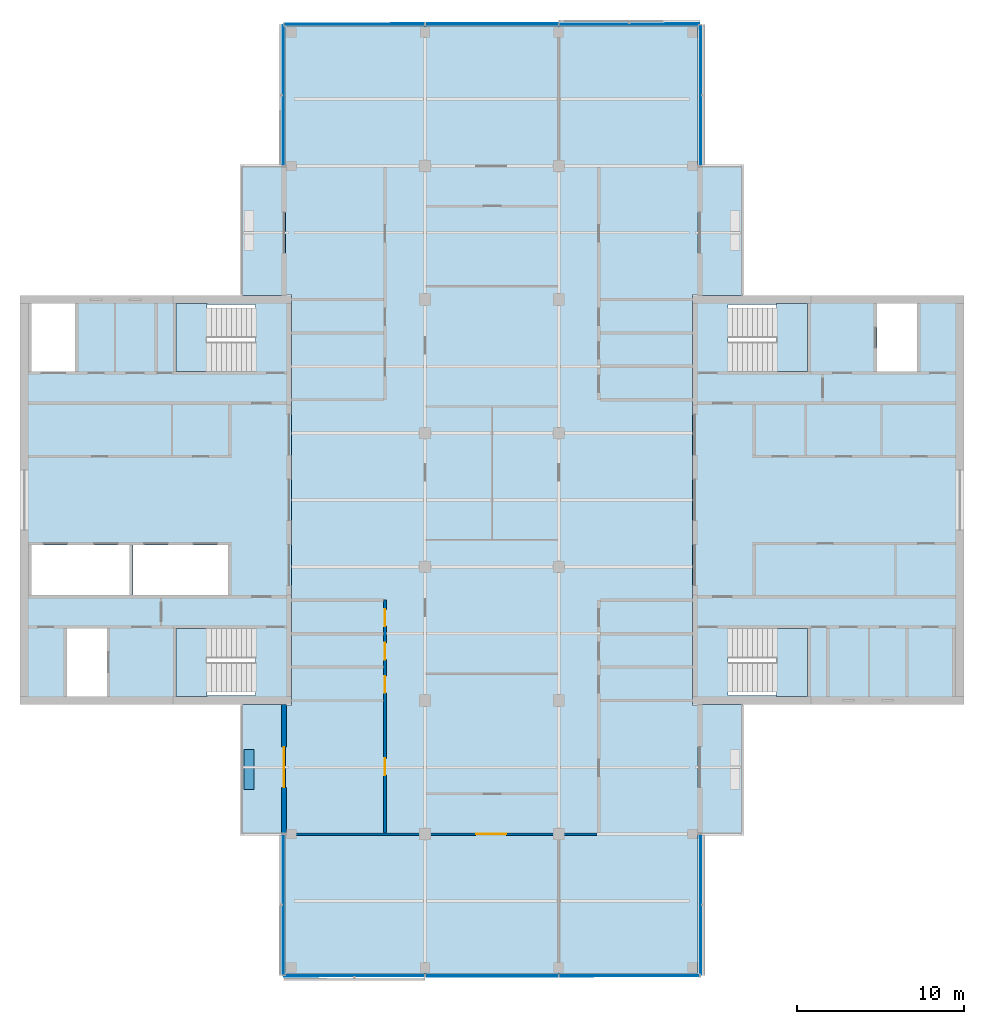
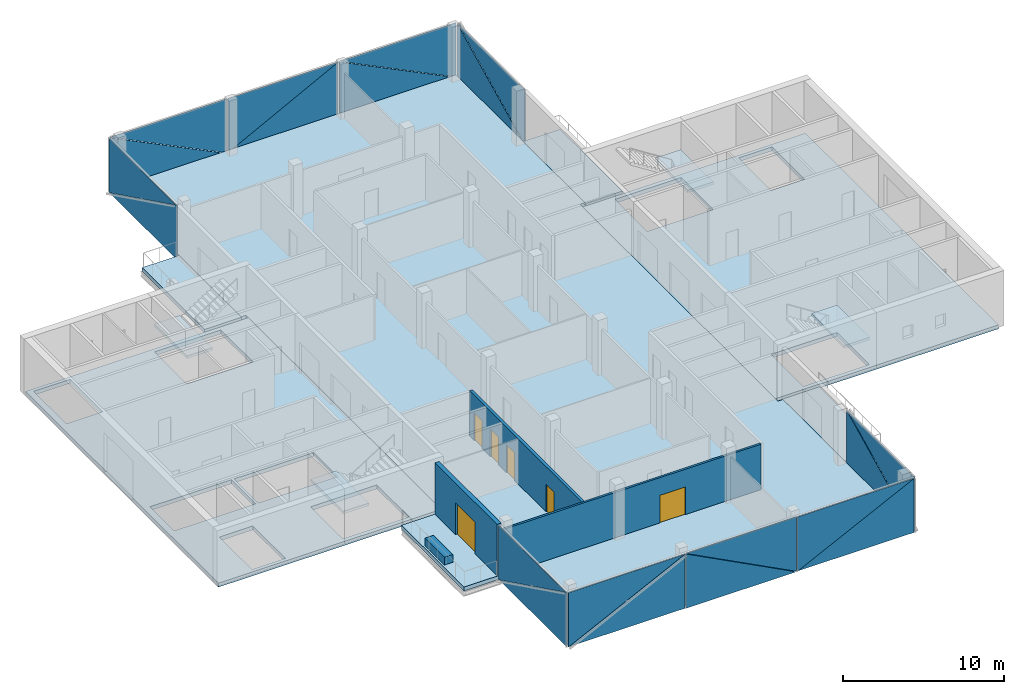
# One storey, part 4 of 12: 20 plates, 11 slabs, 6 doors, 4 walls, 6 openings, 10 elements without a shape of their own.
"""IFC4 building model written with IfcOpenShell, lengths in metres."""

from ifc_helpers import new_model, si_unit, direction, frame, frame_2d, origin, place, context, subcontext, project, spatial, polyline, rectangle, outline, extrude, material, layer, layer_set, type_object, element, fill, aggregate, save


model = new_model("IFC4")

# Units and contexts
model_context = context("Model", 3, precision=1e-05, world=origin(), true_north=direction((0.0, 1.0)))
body_context = subcontext(model_context, "Body", "Model", "MODEL_VIEW")
ifc_project = project(units=[si_unit("LENGTHUNIT", "METRE"), si_unit("AREAUNIT", "SQUARE_METRE"), si_unit("VOLUMEUNIT", "CUBIC_METRE"), si_unit("PLANEANGLEUNIT", "RADIAN"), si_unit("MASSUNIT", "GRAM", prefix="KILO")], contexts=[model_context])

# Site, building, storey
site_placement = place(None, origin())
site = spatial("IfcSite", under=ifc_project, at=site_placement, CompositionType="ELEMENT")
building_placement = place(site_placement, origin())
building = spatial("IfcBuilding", under=site, at=building_placement, Name="Crosswind Convention Tower", CompositionType="ELEMENT")
storey_placement = place(building_placement, frame((0.0, 0.0, 245.10009765625)))
storey = spatial("IfcBuildingStorey", under=building, at=storey_placement, Name="L52", CompositionType="ELEMENT", Elevation=245.10009765625)

# Slabs
ifc_material_1 = material(Name="Concrete C40/50", Category="concrete")
ifc_layer_1 = layer(ifc_material_1, 0.300048828125)
ifc_layer_set_1 = layer_set([ifc_layer_1], Name="Concrete C40/50")
slab_type_1 = type_object("IfcSlabType", Name="Composite floor slab 300", PredefinedType="FLOOR", material=ifc_layer_set_1)
slab_1_placement = place(storey_placement, frame((0.0, 0.0, -0.300048828125)))
element("IfcSlab", 1, at=slab_1_placement, inside=storey, type_object=slab_type_1, Name="Floor slab L52", PredefinedType="FLOOR", context=body_context, shape_type="SweptSolid", body=[
    extrude(outline(polyline([(137.35009765625, 71.64990234375), (137.0, 71.64990234375), (113.0, 71.64990234375), (112.64990234375, 71.64990234375), (112.64990234375, 72.0), (112.64990234375, 87.699951171875), (113.0, 87.699951171875), (113.0, 112.300048828125), (112.64990234375, 112.300048828125), (112.64990234375, 128.0), (112.64990234375, 128.35009765625), (113.0, 128.35009765625), (137.0, 128.35009765625), (137.35009765625, 128.35009765625), (137.35009765625, 128.0), (137.35009765625, 112.300048828125), (137.0, 112.300048828125), (137.0, 87.699951171875), (137.35009765625, 87.699951171875), (137.35009765625, 72.0), (137.35009765625, 71.64990234375)])), origin(), (0.0, 0.0, 1.0), 0.300048828125),
])
ifc_layer_2 = layer(ifc_material_1, 0.300048828125)
ifc_layer_set_2 = layer_set([ifc_layer_2], Name="Concrete C40/50")
slab_type_2 = type_object("IfcSlabType", Name="Concrete core floor slab 300", PredefinedType="FLOOR", material=ifc_layer_set_2)
slab_2_placement = place(storey_placement, frame((0.0, 0.0, -0.300048828125)))
element("IfcSlab", 2, at=slab_2_placement, inside=storey, type_object=slab_type_2, Name="Core floor slab E L52", PredefinedType="FLOOR", context=body_context, shape_type="SweptSolid", body=[
    extrude(outline(polyline([(137.0, 88.0), (153.0, 88.0), (153.0, 112.0), (137.0, 112.0), (137.0, 88.0)]), holes=[polyline([(150.449951171875, 107.699951171875), (150.449951171875, 111.75), (148.050048828125, 111.75), (148.050048828125, 107.699951171875), (150.449951171875, 107.699951171875)]), polyline([(143.89990234375, 107.699951171875), (143.89990234375, 111.699951171875), (139.14990234375, 111.699951171875), (139.14990234375, 107.699951171875), (143.89990234375, 107.699951171875)]), polyline([(143.89990234375, 88.300048828125), (143.89990234375, 92.300048828125), (139.14990234375, 92.300048828125), (139.14990234375, 88.300048828125), (143.89990234375, 88.300048828125)])]), origin(), (0.0, 0.0, 1.0), 0.300048828125),
])
slab_3_placement = place(storey_placement, frame((0.0, 0.0, -0.300048828125)))
element("IfcSlab", 3, at=slab_3_placement, inside=storey, type_object=slab_type_2, Name="Core floor slab W L52", PredefinedType="FLOOR", context=body_context, shape_type="SweptSolid", body=[
    extrude(outline(polyline([(97.0, 88.0), (113.0, 88.0), (113.0, 112.0), (97.0, 112.0), (97.0, 88.0)]), holes=[polyline([(109.199951171875, 94.300048828125), (109.199951171875, 97.300048828125), (103.5, 97.300048828125), (103.5, 94.300048828125), (109.199951171875, 94.300048828125)]), polyline([(103.300048828125, 94.300048828125), (103.300048828125, 97.300048828125), (97.449951171875, 97.300048828125), (97.449951171875, 94.300048828125), (103.300048828125, 94.300048828125)]), polyline([(101.949951171875, 88.25), (101.949951171875, 92.300048828125), (99.550048828125, 92.300048828125), (99.550048828125, 88.25), (101.949951171875, 88.25)]), polyline([(100.050048828125, 107.699951171875), (100.050048828125, 111.75), (97.449951171875, 111.75), (97.449951171875, 107.699951171875), (100.050048828125, 107.699951171875)]), polyline([(110.85009765625, 88.300048828125), (110.85009765625, 92.300048828125), (106.10009765625, 92.300048828125), (106.10009765625, 88.300048828125), (110.85009765625, 88.300048828125)]), polyline([(110.85009765625, 107.699951171875), (110.85009765625, 111.699951171875), (106.10009765625, 111.699951171875), (106.10009765625, 107.699951171875), (110.85009765625, 107.699951171875)])]), origin(), (0.0, 0.0, 1.0), 0.300048828125),
])

# Stair, slab
stair_type = type_object("IfcStairType", Name="Exit stair 1800 wide, 2 flights of 11 risers", PredefinedType="HALF_TURN_STAIR", material=ifc_material_1)
stair_1_placement = place(storey_placement, origin())
stair_1 = element("IfcStair", 4, at=stair_1_placement, inside=storey, type_object=stair_type, Name="Exit stair ST1 L52", ObjectType="ST5", PredefinedType="HALF_TURN_STAIR")
ifc_layer_3 = layer(ifc_material_1, 0.199951171875)
ifc_layer_set_3 = layer_set([ifc_layer_3], Name="Concrete C40/50")
slab_type_3 = type_object("IfcSlabType", Name="Stair landing 200", PredefinedType="LANDING", material=ifc_layer_set_3)
slab_4_placement = place(storey_placement, frame((0.0, 0.0, 1.89990234375)))
slab_4 = element("IfcSlab", 5, at=slab_4_placement, type_object=slab_type_3, Name="ST1 landing 1", PredefinedType="LANDING", context=body_context, shape_type="SweptSolid", body=[
    extrude(outline(polyline([(143.89990234375, 107.699951171875), (143.89990234375, 111.75), (142.050048828125, 111.75), (142.050048828125, 107.699951171875), (143.89990234375, 107.699951171875)])), origin(), (0.0, 0.0, 1.0), 0.199951171875),
])
aggregate(stair_1, [slab_4])

stair_2_placement = place(storey_placement, origin())
stair_2 = element("IfcStair", 6, at=stair_2_placement, inside=storey, type_object=stair_type, Name="Exit stair ST2 L52", ObjectType="ST5", PredefinedType="HALF_TURN_STAIR")
slab_5_placement = place(storey_placement, frame((0.0, 0.0, 1.89990234375)))
slab_5 = element("IfcSlab", 7, at=slab_5_placement, type_object=slab_type_3, Name="ST2 landing 1", PredefinedType="LANDING", context=body_context, shape_type="SweptSolid", body=[
    extrude(outline(polyline([(143.89990234375, 88.25), (143.89990234375, 92.300048828125), (142.050048828125, 92.300048828125), (142.050048828125, 88.25), (143.89990234375, 88.25)])), origin(), (0.0, 0.0, 1.0), 0.199951171875),
])
aggregate(stair_2, [slab_5])

stair_3_placement = place(storey_placement, origin())
stair_3 = element("IfcStair", 8, at=stair_3_placement, inside=storey, type_object=stair_type, Name="Exit stair ST3 L52", ObjectType="ST5", PredefinedType="HALF_TURN_STAIR")
slab_6_placement = place(storey_placement, frame((0.0, 0.0, 1.89990234375)))
slab_6 = element("IfcSlab", 9, at=slab_6_placement, type_object=slab_type_3, Name="ST3 landing 1", PredefinedType="LANDING", context=body_context, shape_type="SweptSolid", body=[
    extrude(outline(polyline([(107.949951171875, 88.25), (107.949951171875, 92.300048828125), (106.10009765625, 92.300048828125), (106.10009765625, 88.25), (107.949951171875, 88.25)])), origin(), (0.0, 0.0, 1.0), 0.199951171875),
])
aggregate(stair_3, [slab_6])

stair_4_placement = place(storey_placement, origin())
stair_4 = element("IfcStair", 10, at=stair_4_placement, inside=storey, type_object=stair_type, Name="Exit stair ST4 L52", ObjectType="ST5", PredefinedType="HALF_TURN_STAIR")
slab_7_placement = place(storey_placement, frame((0.0, 0.0, 1.89990234375)))
slab_7 = element("IfcSlab", 11, at=slab_7_placement, type_object=slab_type_3, Name="ST4 landing 1", PredefinedType="LANDING", context=body_context, shape_type="SweptSolid", body=[
    extrude(outline(polyline([(107.949951171875, 107.699951171875), (107.949951171875, 111.75), (106.10009765625, 111.75), (106.10009765625, 107.699951171875), (107.949951171875, 107.699951171875)])), origin(), (0.0, 0.0, 1.0), 0.199951171875),
])
aggregate(stair_4, [slab_7])

# Curtain wall, plates
ifc_material_2 = material(Name="Aluminium unitised curtain wall", Category="aluminium")
curtain_wall_type = type_object("IfcCurtainWallType", Name="OFFICE UNITISED WALL 220", PredefinedType="USERDEFINED", material=ifc_material_2)
curtain_wall_1_placement = place(storey_placement, origin())
curtain_wall_1 = element("IfcCurtainWall", 12, at=curtain_wall_1_placement, inside=storey, type_object=curtain_wall_type, Name="CW3 L52 N-E 1", ObjectType="UNITISED", PredefinedType="USERDEFINED")
ifc_material_3 = material(Name="Laminated insulating glass unit", Category="glass")
ifc_layer_4 = layer(ifc_material_3, 0.031982421875)
ifc_layer_set_4 = layer_set([ifc_layer_4], Name="TRIANGULAR GLASS PANEL 32")
plate_type = type_object("IfcPlateType", Name="TRIANGULAR GLASS PANEL 32", PredefinedType="CURTAIN_PANEL", material=ifc_layer_set_4)
plate_1_placement = place(storey_placement, frame((137.492919921875, 128.425048828125, -0.300048828125), z_axis=(0.999999913924, 0.0, 0.000414913129), x_axis=(-0.000414913129, 0.0, 0.999999913924)))
plate_1 = element("IfcPlate", 13, at=plate_1_placement, type_object=plate_type, Name="CW3 panel 1.1", PredefinedType="CURTAIN_PANEL", context=body_context, shape_type="SweptSolid", body=[
    extrude(outline(polyline([(0.0, 0.0), (4.118896838915043, 0.0), (0.0, 8.367431640625), (0.0, 0.0)])), origin(), (0.0, 0.0, -1.0), 0.031982421875),
])
plate_2_placement = place(storey_placement, frame((137.525146484375, 120.034912109375, 3.829833984375), z_axis=(0.999999913924, 0.0, 0.000414913129), x_axis=(0.000414913129, 0.0, -0.999999913924)))
plate_2 = element("IfcPlate", 14, at=plate_2_placement, type_object=plate_type, Name="CW3 panel 1.2", PredefinedType="CURTAIN_PANEL", context=body_context, shape_type="SweptSolid", body=[
    extrude(outline(polyline([(0.0, 0.0), (4.118896838915043, 0.0), (0.0, 8.367431640625), (0.0, 0.0)])), origin(), (0.0, 0.0, -1.0), 0.031982421875),
])
aggregate(curtain_wall_1, [plate_1, plate_2])

curtain_wall_2_placement = place(storey_placement, origin())
curtain_wall_2 = element("IfcCurtainWall", 15, at=curtain_wall_2_placement, inside=storey, type_object=curtain_wall_type, Name="CW3 L52 N-TIP 1", ObjectType="UNITISED", PredefinedType="USERDEFINED")
plate_3_placement = place(storey_placement, frame((129.034912109375, 128.492919921875, -0.300048828125), z_axis=(0.0, 0.999999913924, 0.000414913129), x_axis=(0.0, -0.000414913129, 0.999999913924)))
plate_3 = element("IfcPlate", 16, at=plate_3_placement, type_object=plate_type, Name="CW3 panel 1.1", PredefinedType="CURTAIN_PANEL", context=body_context, shape_type="SweptSolid", body=[
    extrude(outline(polyline([(0.0, 0.0), (4.118896838915043, 0.0), (0.0, 8.367431640625), (0.0, 0.0)])), origin(), (0.0, 0.0, -1.0), 0.031982421875),
])
plate_4_placement = place(storey_placement, frame((137.425048828125, 128.525146484375, 3.829833984375), z_axis=(0.0, 0.999999913924, 0.000414913129), x_axis=(0.0, 0.000414913129, -0.999999913924)))
plate_4 = element("IfcPlate", 17, at=plate_4_placement, type_object=plate_type, Name="CW3 panel 1.2", PredefinedType="CURTAIN_PANEL", context=body_context, shape_type="SweptSolid", body=[
    extrude(outline(polyline([(0.0, 0.0), (4.118896838915043, 0.0), (0.0, 8.367431640625), (0.0, 0.0)])), origin(), (0.0, 0.0, -1.0), 0.031982421875),
])
plate_5_placement = place(storey_placement, frame((121.034912109375, 128.4912109375, 3.829833984375), z_axis=(0.0, 0.999999913913, 0.000414937724), x_axis=(1.0, 0.0, 0.0)))
plate_5 = element("IfcPlate", 18, at=plate_5_placement, type_object=plate_type, Name="CW3 panel 2.1", PredefinedType="CURTAIN_PANEL", context=body_context, shape_type="SweptSolid", body=[
    extrude(outline(polyline([(0.0, 0.0), (7.908447265625, 0.0), (0.0, 4.118652698311059), (0.0, 0.0)])), origin(), (0.0, 0.0, -1.0), 0.031982421875),
])
plate_6_placement = place(storey_placement, frame((128.965087890625, 128.52685546875, -0.300048828125), z_axis=(0.0, 0.999999913913, 0.000414937724), x_axis=(-1.0, 0.0, 0.0)))
plate_6 = element("IfcPlate", 19, at=plate_6_placement, type_object=plate_type, Name="CW3 panel 2.2", PredefinedType="CURTAIN_PANEL", context=body_context, shape_type="SweptSolid", body=[
    extrude(outline(polyline([(0.0, 0.0), (7.908447265625, 0.0), (0.0, 4.118652698311059), (0.0, 0.0)])), origin(), (0.0, 0.0, -1.0), 0.031982421875),
])
plate_7_placement = place(storey_placement, frame((112.574951171875, 128.492919921875, -0.300048828125), z_axis=(0.0, 0.999999913924, 0.000414913129), x_axis=(0.0, -0.000414913129, 0.999999913924)))
plate_7 = element("IfcPlate", 20, at=plate_7_placement, type_object=plate_type, Name="CW3 panel 3.1", PredefinedType="CURTAIN_PANEL", context=body_context, shape_type="SweptSolid", body=[
    extrude(outline(polyline([(0.0, 0.0), (4.118896838915043, 0.0), (0.0, 8.367431640625), (0.0, 0.0)])), origin(), (0.0, 0.0, -1.0), 0.031982421875),
])
plate_8_placement = place(storey_placement, frame((120.965087890625, 128.525146484375, 3.829833984375), z_axis=(0.0, 0.999999913924, 0.000414913129), x_axis=(0.0, 0.000414913129, -0.999999913924)))
plate_8 = element("IfcPlate", 21, at=plate_8_placement, type_object=plate_type, Name="CW3 panel 3.2", PredefinedType="CURTAIN_PANEL", context=body_context, shape_type="SweptSolid", body=[
    extrude(outline(polyline([(0.0, 0.0), (4.118896838915043, 0.0), (0.0, 8.367431640625), (0.0, 0.0)])), origin(), (0.0, 0.0, -1.0), 0.031982421875),
])
aggregate(curtain_wall_2, [plate_3, plate_4, plate_5, plate_6, plate_7, plate_8])

curtain_wall_3_placement = place(storey_placement, origin())
curtain_wall_3 = element("IfcCurtainWall", 22, at=curtain_wall_3_placement, inside=storey, type_object=curtain_wall_type, Name="CW3 L52 N-W 1", ObjectType="UNITISED", PredefinedType="USERDEFINED")
plate_9_placement = place(storey_placement, frame((112.507080078125, 120.034912109375, -0.300048828125), z_axis=(-0.999999913924, 0.0, 0.000414913129), x_axis=(0.000414913129, 0.0, 0.999999913924)))
plate_9 = element("IfcPlate", 23, at=plate_9_placement, type_object=plate_type, Name="CW3 panel 1.1", PredefinedType="CURTAIN_PANEL", context=body_context, shape_type="SweptSolid", body=[
    extrude(outline(polyline([(0.0, 0.0), (4.118896838915043, 0.0), (0.0, 8.367431640625), (0.0, 0.0)])), origin(), (0.0, 0.0, -1.0), 0.031982421875),
])
plate_10_placement = place(storey_placement, frame((112.474853515625, 128.425048828125, 3.829833984375), z_axis=(-0.999999913924, 0.0, 0.000414913129), x_axis=(-0.000414913129, 0.0, -0.999999913924)))
plate_10 = element("IfcPlate", 24, at=plate_10_placement, type_object=plate_type, Name="CW3 panel 1.2", PredefinedType="CURTAIN_PANEL", context=body_context, shape_type="SweptSolid", body=[
    extrude(outline(polyline([(0.0, 0.0), (4.118896838915043, 0.0), (0.0, 8.367431640625), (0.0, 0.0)])), origin(), (0.0, 0.0, -1.0), 0.031982421875),
])
aggregate(curtain_wall_3, [plate_9, plate_10])

curtain_wall_4_placement = place(storey_placement, origin())
curtain_wall_4 = element("IfcCurtainWall", 25, at=curtain_wall_4_placement, inside=storey, type_object=curtain_wall_type, Name="CW3 L52 S-W 1", ObjectType="UNITISED", PredefinedType="USERDEFINED")
plate_11_placement = place(storey_placement, frame((112.507080078125, 71.574951171875, -0.300048828125), z_axis=(-0.999999913924, 0.0, 0.000414913129), x_axis=(0.000414913129, 0.0, 0.999999913924)))
plate_11 = element("IfcPlate", 26, at=plate_11_placement, type_object=plate_type, Name="CW3 panel 1.1", PredefinedType="CURTAIN_PANEL", context=body_context, shape_type="SweptSolid", body=[
    extrude(outline(polyline([(0.0, 0.0), (4.118896838915043, 0.0), (0.0, 8.367431640625), (0.0, 0.0)])), origin(), (0.0, 0.0, -1.0), 0.031982421875),
])
plate_12_placement = place(storey_placement, frame((112.474853515625, 79.965087890625, 3.829833984375), z_axis=(-0.999999913924, 0.0, 0.000414913129), x_axis=(-0.000414913129, 0.0, -0.999999913924)))
plate_12 = element("IfcPlate", 27, at=plate_12_placement, type_object=plate_type, Name="CW3 panel 1.2", PredefinedType="CURTAIN_PANEL", context=body_context, shape_type="SweptSolid", body=[
    extrude(outline(polyline([(0.0, 0.0), (4.118896838915043, 0.0), (0.0, 8.367431640625), (0.0, 0.0)])), origin(), (0.0, 0.0, -1.0), 0.031982421875),
])
aggregate(curtain_wall_4, [plate_11, plate_12])

curtain_wall_5_placement = place(storey_placement, origin())
curtain_wall_5 = element("IfcCurtainWall", 28, at=curtain_wall_5_placement, inside=storey, type_object=curtain_wall_type, Name="CW3 L52 S-TIP 1", ObjectType="UNITISED", PredefinedType="USERDEFINED")
plate_13_placement = place(storey_placement, frame((120.965087890625, 71.507080078125, -0.300048828125), z_axis=(0.0, -0.999999913924, 0.000414913129), x_axis=(0.0, 0.000414913129, 0.999999913924)))
plate_13 = element("IfcPlate", 29, at=plate_13_placement, type_object=plate_type, Name="CW3 panel 1.1", PredefinedType="CURTAIN_PANEL", context=body_context, shape_type="SweptSolid", body=[
    extrude(outline(polyline([(0.0, 0.0), (4.118896838915043, 0.0), (0.0, 8.367431640625), (0.0, 0.0)])), origin(), (0.0, 0.0, -1.0), 0.031982421875),
])
plate_14_placement = place(storey_placement, frame((112.574951171875, 71.474853515625, 3.829833984375), z_axis=(0.0, -0.999999913924, 0.000414913129), x_axis=(0.0, -0.000414913129, -0.999999913924)))
plate_14 = element("IfcPlate", 30, at=plate_14_placement, type_object=plate_type, Name="CW3 panel 1.2", PredefinedType="CURTAIN_PANEL", context=body_context, shape_type="SweptSolid", body=[
    extrude(outline(polyline([(0.0, 0.0), (4.118896838915043, 0.0), (0.0, 8.367431640625), (0.0, 0.0)])), origin(), (0.0, 0.0, -1.0), 0.031982421875),
])
plate_15_placement = place(storey_placement, frame((128.965087890625, 71.5087890625, 3.829833984375), z_axis=(0.0, -0.999999913913, 0.000414937724), x_axis=(-1.0, 0.0, 0.0)))
plate_15 = element("IfcPlate", 31, at=plate_15_placement, type_object=plate_type, Name="CW3 panel 2.1", PredefinedType="CURTAIN_PANEL", context=body_context, shape_type="SweptSolid", body=[
    extrude(outline(polyline([(0.0, 0.0), (7.908447265625, 0.0), (0.0, 4.118652698311059), (0.0, 0.0)])), origin(), (0.0, 0.0, -1.0), 0.031982421875),
])
plate_16_placement = place(storey_placement, frame((121.034912109375, 71.47314453125, -0.300048828125), z_axis=(0.0, -0.999999913913, 0.000414937724), x_axis=(1.0, 0.0, 0.0)))
plate_16 = element("IfcPlate", 32, at=plate_16_placement, type_object=plate_type, Name="CW3 panel 2.2", PredefinedType="CURTAIN_PANEL", context=body_context, shape_type="SweptSolid", body=[
    extrude(outline(polyline([(0.0, 0.0), (7.908447265625, 0.0), (0.0, 4.118652698311059), (0.0, 0.0)])), origin(), (0.0, 0.0, -1.0), 0.031982421875),
])
plate_17_placement = place(storey_placement, frame((137.425048828125, 71.507080078125, -0.300048828125), z_axis=(0.0, -0.999999913924, 0.000414913129), x_axis=(0.0, 0.000414913129, 0.999999913924)))
plate_17 = element("IfcPlate", 33, at=plate_17_placement, type_object=plate_type, Name="CW3 panel 3.1", PredefinedType="CURTAIN_PANEL", context=body_context, shape_type="SweptSolid", body=[
    extrude(outline(polyline([(0.0, 0.0), (4.118896838915043, 0.0), (0.0, 8.367431640625), (0.0, 0.0)])), origin(), (0.0, 0.0, -1.0), 0.031982421875),
])
plate_18_placement = place(storey_placement, frame((129.034912109375, 71.474853515625, 3.829833984375), z_axis=(0.0, -0.999999913924, 0.000414913129), x_axis=(0.0, -0.000414913129, -0.999999913924)))
plate_18 = element("IfcPlate", 34, at=plate_18_placement, type_object=plate_type, Name="CW3 panel 3.2", PredefinedType="CURTAIN_PANEL", context=body_context, shape_type="SweptSolid", body=[
    extrude(outline(polyline([(0.0, 0.0), (4.118896838915043, 0.0), (0.0, 8.367431640625), (0.0, 0.0)])), origin(), (0.0, 0.0, -1.0), 0.031982421875),
])
aggregate(curtain_wall_5, [plate_13, plate_14, plate_15, plate_16, plate_17, plate_18])

curtain_wall_6_placement = place(storey_placement, origin())
curtain_wall_6 = element("IfcCurtainWall", 35, at=curtain_wall_6_placement, inside=storey, type_object=curtain_wall_type, Name="CW3 L52 S-E 1", ObjectType="UNITISED", PredefinedType="USERDEFINED")
plate_19_placement = place(storey_placement, frame((137.492919921875, 79.965087890625, -0.300048828125), z_axis=(0.999999913924, 0.0, 0.000414913129), x_axis=(-0.000414913129, 0.0, 0.999999913924)))
plate_19 = element("IfcPlate", 36, at=plate_19_placement, type_object=plate_type, Name="CW3 panel 1.1", PredefinedType="CURTAIN_PANEL", context=body_context, shape_type="SweptSolid", body=[
    extrude(outline(polyline([(0.0, 0.0), (4.118896838915043, 0.0), (0.0, 8.367431640625), (0.0, 0.0)])), origin(), (0.0, 0.0, -1.0), 0.031982421875),
])
plate_20_placement = place(storey_placement, frame((137.525146484375, 71.574951171875, 3.829833984375), z_axis=(0.999999913924, 0.0, 0.000414913129), x_axis=(0.000414913129, 0.0, -0.999999913924)))
plate_20 = element("IfcPlate", 37, at=plate_20_placement, type_object=plate_type, Name="CW3 panel 1.2", PredefinedType="CURTAIN_PANEL", context=body_context, shape_type="SweptSolid", body=[
    extrude(outline(polyline([(0.0, 0.0), (4.118896838915043, 0.0), (0.0, 8.367431640625), (0.0, 0.0)])), origin(), (0.0, 0.0, -1.0), 0.031982421875),
])
aggregate(curtain_wall_6, [plate_19, plate_20])

# Slabs
ifc_layer_5 = layer(ifc_material_1, 0.300048828125)
ifc_layer_set_5 = layer_set([ifc_layer_5], Name="Concrete C40/50")
slab_type_4 = type_object("IfcSlabType", Name="WINTER GARDEN SLAB 300", PredefinedType="USERDEFINED", material=ifc_layer_set_5)
slab_8_placement = place(storey_placement, frame((0.0, 0.0, -0.300048828125)))
element("IfcSlab", 38, at=slab_8_placement, inside=storey, type_object=slab_type_4, Name="WINTER GARDEN L52 N-E.1-1", ObjectType="WINTER GARDEN", PredefinedType="USERDEFINED", context=body_context, shape_type="SweptSolid", body=[
    extrude(outline(polyline([(137.35009765625, 112.25), (137.35009765625, 120.0), (140.0, 120.0), (140.0, 112.25), (137.35009765625, 112.25)])), origin(), (0.0, 0.0, 1.0), 0.300048828125),
])
slab_9_placement = place(storey_placement, frame((0.0, 0.0, -0.300048828125)))
element("IfcSlab", 39, at=slab_9_placement, inside=storey, type_object=slab_type_4, Name="WINTER GARDEN L52 N-W.1-2", ObjectType="WINTER GARDEN", PredefinedType="USERDEFINED", context=body_context, shape_type="SweptSolid", body=[
    extrude(outline(polyline([(112.64990234375, 120.0), (112.64990234375, 112.25), (110.0, 112.25), (110.0, 120.0), (112.64990234375, 120.0)])), origin(), (0.0, 0.0, 1.0), 0.300048828125),
])
slab_10_placement = place(storey_placement, frame((0.0, 0.0, -0.300048828125)))
element("IfcSlab", 40, at=slab_10_placement, inside=storey, type_object=slab_type_4, Name="WINTER GARDEN L52 S-W.1-1", ObjectType="WINTER GARDEN", PredefinedType="USERDEFINED", context=body_context, shape_type="SweptSolid", body=[
    extrude(outline(polyline([(112.64990234375, 87.75), (112.64990234375, 80.0), (110.0, 80.0), (110.0, 87.75), (112.64990234375, 87.75)])), origin(), (0.0, 0.0, 1.0), 0.300048828125),
])
slab_11_placement = place(storey_placement, frame((0.0, 0.0, -0.300048828125)))
element("IfcSlab", 41, at=slab_11_placement, inside=storey, type_object=slab_type_4, Name="WINTER GARDEN L52 S-E.1-2", ObjectType="WINTER GARDEN", PredefinedType="USERDEFINED", context=body_context, shape_type="SweptSolid", body=[
    extrude(outline(polyline([(137.35009765625, 80.0), (137.35009765625, 87.75), (140.0, 87.75), (140.0, 80.0), (137.35009765625, 80.0)])), origin(), (0.0, 0.0, 1.0), 0.300048828125),
])

# Wall, openings, doors
ifc_material_4 = material(Name="Concrete blockwork", Category="masonry")
ifc_layer_6 = layer(ifc_material_4, 0.199951171875)
ifc_layer_set_6 = layer_set([ifc_layer_6], Name="COMPARTMENT WALL 200 BLOCKWORK")
wall_type_1 = type_object("IfcWallType", Name="COMPARTMENT WALL 200 BLOCKWORK", PredefinedType="SOLIDWALL", material=ifc_layer_set_6)
wall_1_placement = place(storey_placement, frame((118.60009765625, 80.074951171875, 0.0), z_axis=(0.0, 0.0, 1.0), x_axis=(0.0, 1.0, 0.0)))
wall_1 = element("IfcWall", 42, at=wall_1_placement, inside=storey, type_object=wall_type_1, Name="Compartment wall WT42", PredefinedType="SOLIDWALL", context=body_context, shape_type="SweptSolid", body=[
    extrude(rectangle(XDim=13.925048828125, YDim=0.199951171875, at=frame_2d((6.96240234375, 0.0))), origin(), (0.0, 0.0, 1.0), 3.442626953125),
])
opening_1_placement = place(wall_1_placement, frame((12.375, 0.0, 0.0)))
opening_1 = element("IfcOpeningElement", 43, at=opening_1_placement, cuts=wall_1, Name="Opening L52-61", PredefinedType="OPENING", context=body_context, shape_type="SweptSolid", body=[
    extrude(rectangle(XDim=1.0, YDim=2.10009765625, at=frame_2d((0.5, 1.050048828125))), frame((0.0, 0.10986328125, 0.0), z_axis=(0.0, -1.0, 0.0), x_axis=(1.0, 0.0, 0.0)), (0.0, 0.0, 1.0), 0.219970703125),
])
opening_2_placement = place(wall_1_placement, frame((10.375, 0.0, 0.0)))
opening_2 = element("IfcOpeningElement", 44, at=opening_2_placement, cuts=wall_1, Name="Opening L52-62", PredefinedType="OPENING", context=body_context, shape_type="SweptSolid", body=[
    extrude(rectangle(XDim=1.0, YDim=2.10009765625, at=frame_2d((0.5, 1.050048828125))), frame((0.0, 0.10986328125, 0.0), z_axis=(0.0, -1.0, 0.0), x_axis=(1.0, 0.0, 0.0)), (0.0, 0.0, 1.0), 0.219970703125),
])
opening_3_placement = place(wall_1_placement, frame((8.375, 0.0, 0.0)))
opening_3 = element("IfcOpeningElement", 45, at=opening_3_placement, cuts=wall_1, Name="Opening L52-63", PredefinedType="OPENING", context=body_context, shape_type="SweptSolid", body=[
    extrude(rectangle(XDim=1.0, YDim=2.10009765625, at=frame_2d((0.5, 1.050048828125))), frame((0.0, 0.10986328125, 0.0), z_axis=(0.0, -1.0, 0.0), x_axis=(1.0, 0.0, 0.0)), (0.0, 0.0, 1.0), 0.219970703125),
])
opening_4_placement = place(wall_1_placement, frame((3.449951171875, 0.0, 0.0)))
opening_4 = element("IfcOpeningElement", 46, at=opening_4_placement, cuts=wall_1, Name="Opening L52-64", PredefinedType="OPENING", context=body_context, shape_type="SweptSolid", body=[
    extrude(rectangle(XDim=1.0, YDim=2.10009765625, at=frame_2d((0.5, 1.050048828125))), frame((0.0, 0.10986328125, 0.0), z_axis=(0.0, -1.0, 0.0), x_axis=(1.0, 0.0, 0.0)), (0.0, 0.0, 1.0), 0.219970703125),
])
ifc_material_5 = material(Name="Steel fire door", Category="steel")
door_type_1 = type_object("IfcDoorType", Name="PLANT ROOM DOOR 1000X2100 FD60", OperationType="NOTDEFINED", PredefinedType="DOOR", material=ifc_material_5)
door_1_placement = place(opening_1_placement, origin())
door_1 = element("IfcDoor", 47, at=door_1_placement, inside=storey, type_object=door_type_1, Name="Door L52-61", ObjectType="D43", OperationType="SINGLE_SWING_LEFT", OverallHeight=2.10009765625, OverallWidth=1.0, PredefinedType="DOOR", context=body_context, shape_type="SweptSolid", body=[
    extrude(rectangle(XDim=1.0, YDim=2.10009765625, at=frame_2d((0.5, 1.050048828125))), frame((0.0, 0.02490234375, 0.0), z_axis=(0.0, -1.0, 0.0), x_axis=(1.0, 0.0, 0.0)), (0.0, 0.0, 1.0), 0.050048828125),
])
fill(opening_1, door_1)
door_2_placement = place(opening_2_placement, origin())
door_2 = element("IfcDoor", 48, at=door_2_placement, inside=storey, type_object=door_type_1, Name="Door L52-62", ObjectType="D43", OperationType="SINGLE_SWING_LEFT", OverallHeight=2.10009765625, OverallWidth=1.0, PredefinedType="DOOR", context=body_context, shape_type="SweptSolid", body=[
    extrude(rectangle(XDim=1.0, YDim=2.10009765625, at=frame_2d((0.5, 1.050048828125))), frame((0.0, 0.02490234375, 0.0), z_axis=(0.0, -1.0, 0.0), x_axis=(1.0, 0.0, 0.0)), (0.0, 0.0, 1.0), 0.050048828125),
])
fill(opening_2, door_2)
ifc_material_6 = material(Name="Timber fire door", Category="wood")
door_type_2 = type_object("IfcDoorType", Name="TENANCY ENTRANCE DOOR 1000X2100 FD30S", OperationType="NOTDEFINED", PredefinedType="DOOR", material=ifc_material_6)
door_3_placement = place(opening_3_placement, origin())
door_3 = element("IfcDoor", 49, at=door_3_placement, inside=storey, type_object=door_type_2, Name="Door L52-63", ObjectType="D41", OperationType="SINGLE_SWING_RIGHT", OverallHeight=2.10009765625, OverallWidth=1.0, PredefinedType="DOOR", context=body_context, shape_type="SweptSolid", body=[
    extrude(rectangle(XDim=1.0, YDim=2.10009765625, at=frame_2d((0.5, 1.050048828125))), frame((0.0, 0.02490234375, 0.0), z_axis=(0.0, -1.0, 0.0), x_axis=(1.0, 0.0, 0.0)), (0.0, 0.0, 1.0), 0.050048828125),
])
fill(opening_3, door_3)
door_4_placement = place(opening_4_placement, origin())
door_4 = element("IfcDoor", 50, at=door_4_placement, inside=storey, type_object=door_type_2, Name="Door L52-64", ObjectType="D41", OperationType="SINGLE_SWING_RIGHT", OverallHeight=2.10009765625, OverallWidth=1.0, PredefinedType="DOOR", context=body_context, shape_type="SweptSolid", body=[
    extrude(rectangle(XDim=1.0, YDim=2.10009765625, at=frame_2d((0.5, 1.050048828125))), frame((0.0, 0.02490234375, 0.0), z_axis=(0.0, -1.0, 0.0), x_axis=(1.0, 0.0, 0.0)), (0.0, 0.0, 1.0), 0.050048828125),
])
fill(opening_4, door_4)

# Wall
ifc_material_7 = material(Name="Concrete C30/37", Category="concrete")
ifc_layer_7 = layer(ifc_material_7, 0.60009765625)
ifc_layer_set_7 = layer_set([ifc_layer_7], Name="Concrete C30/37")
wall_type_2 = type_object("IfcWallType", Name="PLANTER BOX WALL 600", PredefinedType="SOLIDWALL", material=ifc_layer_set_7)
wall_2_placement = place(storey_placement, frame((110.449951171875, 85.074951171875, 0.0), z_axis=(0.0, 0.0, 1.0), x_axis=(0.0, -1.0, 0.0)))
element("IfcWall", 51, at=wall_2_placement, inside=storey, type_object=wall_type_2, Name="PLANTER L52 S-W.1-1", PredefinedType="SOLIDWALL", context=body_context, shape_type="SweptSolid", body=[
    extrude(rectangle(XDim=2.39990234375, YDim=0.60009765625, at=frame_2d((1.199951171875, 0.0))), origin(), (0.0, 0.0, 1.0), 0.599853515625),
])

# Wall, opening, door
ifc_material_8 = material(Name="Fire-board partition with mineral wool", Category="gypsum")
ifc_layer_8 = layer(ifc_material_8, 0.14990234375)
ifc_layer_set_8 = layer_set([ifc_layer_8], Name="TENANCY WALL 150 TWO-HOUR BOARD")
wall_type_3 = type_object("IfcWallType", Name="TENANCY WALL 150 TWO-HOUR BOARD", PredefinedType="PARTITIONING", material=ifc_layer_set_8)
wall_3_placement = place(storey_placement, frame((112.72998046875, 80.0, 0.0), z_axis=(0.0, 0.0, 1.0), x_axis=(1.0, 0.0, 0.0)))
wall_3 = element("IfcWall", 52, at=wall_3_placement, inside=storey, type_object=wall_type_3, Name="Tenancy wall WT41", PredefinedType="PARTITIONING", context=body_context, shape_type="SweptSolid", body=[
    extrude(rectangle(XDim=18.570068359375, YDim=0.14990234375, at=frame_2d((9.28515625, 0.0))), origin(), (0.0, 0.0, 1.0), 3.442626953125),
])
opening_5_placement = place(wall_3_placement, frame((11.320068359375, 0.0, 0.0)))
opening_5 = element("IfcOpeningElement", 53, at=opening_5_placement, cuts=wall_3, Name="Opening L52-66", PredefinedType="OPENING", context=body_context, shape_type="SweptSolid", body=[
    extrude(rectangle(XDim=1.800048828125, YDim=2.10009765625, at=frame_2d((0.89990234375, 1.050048828125))), frame((0.0, 0.0849609375, 0.0), z_axis=(0.0, -1.0, 0.0), x_axis=(1.0, 0.0, 0.0)), (0.0, 0.0, 1.0), 0.169921875),
])
door_type_3 = type_object("IfcDoorType", Name="TENANCY ENTRANCE DOUBLE DOOR 1800X2100 FD30S", OperationType="DOUBLE_DOOR_SINGLE_SWING", PredefinedType="DOOR", material=ifc_material_6)
door_5_placement = place(opening_5_placement, frame((1.800048828125, 0.0, 0.0), z_axis=(0.0, 0.0, 1.0), x_axis=(-1.0, 0.0, 0.0)))
door_5 = element("IfcDoor", 54, at=door_5_placement, inside=storey, type_object=door_type_3, Name="Door L52-66", ObjectType="D42", OperationType="DOUBLE_DOOR_SINGLE_SWING", OverallHeight=2.10009765625, OverallWidth=1.800048828125, PredefinedType="DOOR", context=body_context, shape_type="SweptSolid", body=[
    extrude(rectangle(XDim=1.800048828125, YDim=2.10009765625, at=frame_2d((0.89990234375, 1.050048828125))), frame((0.0, 0.02490234375, 0.0), z_axis=(0.0, -1.0, 0.0), x_axis=(1.0, 0.0, 0.0)), (0.0, 0.0, 1.0), 0.050048828125),
])
fill(opening_5, door_5)

ifc_material_9 = material(Name="Terracotta rainscreen", Category="ceramic")
ifc_layer_9 = layer(ifc_material_9, 0.02001953125)
ifc_material_10 = material(Name="Mineral wool insulation", Category="insulation")
ifc_layer_10 = layer(ifc_material_10, 0.10009765625)
ifc_layer_11 = layer(ifc_material_4, 0.179931640625)
ifc_layer_set_9 = layer_set([ifc_layer_9, ifc_layer_10, ifc_layer_11], Name="TERRACOTTA INFILL WALL 300")
wall_type_4 = type_object("IfcWallType", Name="TERRACOTTA INFILL WALL 300", PredefinedType="SOLIDWALL", material=ifc_layer_set_9)
wall_4_placement = place(storey_placement, frame((112.550048828125, 87.75, 0.0), z_axis=(0.0, 0.0, 1.0), x_axis=(0.0, -1.0, 0.0)))
wall_4 = element("IfcWall", 55, at=wall_4_placement, inside=storey, type_object=wall_type_4, Name="Notch front wall L52 S-W.1-1", PredefinedType="SOLIDWALL", context=body_context, shape_type="SweptSolid", body=[
    extrude(rectangle(XDim=7.715087890625, YDim=0.300048828125, at=frame_2d((3.857421875, 0.0))), origin(), (0.0, 0.0, 1.0), 3.89990234375),
])
opening_6_placement = place(wall_4_placement, frame((2.550048828125, 0.0, 0.0)))
opening_6 = element("IfcOpeningElement", 56, at=opening_6_placement, cuts=wall_4, Name="Opening D143", PredefinedType="OPENING", context=body_context, shape_type="SweptSolid", body=[
    extrude(rectangle(XDim=2.39990234375, YDim=2.39990234375, at=frame_2d((1.199951171875, 1.199951171875))), frame((0.0, 0.159912109375, 0.0), z_axis=(0.0, -1.0, 0.0), x_axis=(1.0, 0.0, 0.0)), (0.0, 0.0, 1.0), 0.320068359375),
])
ifc_material_11 = material(Name="Aluminium glazed door", Category="aluminium")
door_type_4 = type_object("IfcDoorType", Name="WINTER GARDEN SLIDING DOOR 2400X2400", OperationType="SLIDING_TO_LEFT", PredefinedType="DOOR", material=ifc_material_11)
door_6_placement = place(opening_6_placement, frame((2.39990234375, 0.0, 0.0), z_axis=(0.0, 0.0, 1.0), x_axis=(-1.0, 0.0, 0.0)))
door_6 = element("IfcDoor", 57, at=door_6_placement, inside=storey, type_object=door_type_4, Name="D143 winter garden door L52 S-W.1-1", ObjectType="D143", OperationType="SLIDING_TO_LEFT", OverallHeight=2.39990234375, OverallWidth=2.39990234375, PredefinedType="DOOR", context=body_context, shape_type="SweptSolid", body=[
    extrude(rectangle(XDim=2.39990234375, YDim=2.39990234375, at=frame_2d((1.199951171875, 1.199951171875))), frame((0.0, 0.02490234375, 0.0), z_axis=(0.0, -1.0, 0.0), x_axis=(1.0, 0.0, 0.0)), (0.0, 0.0, 1.0), 0.050048828125),
])
fill(opening_6, door_6)

save(model, "model.ifc")
